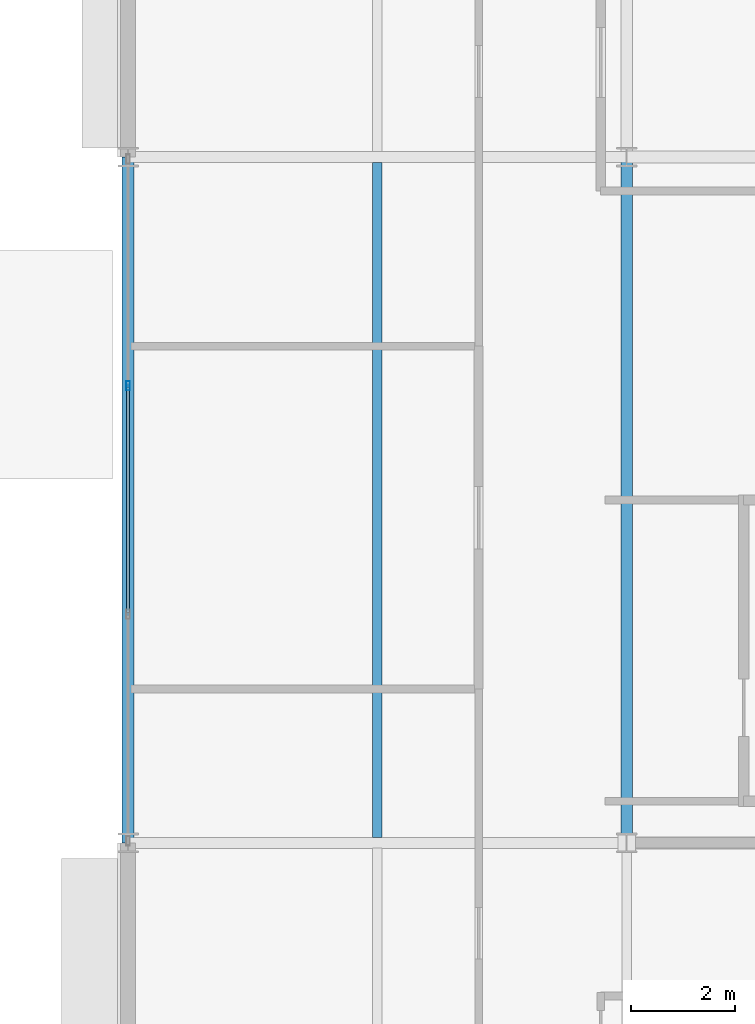
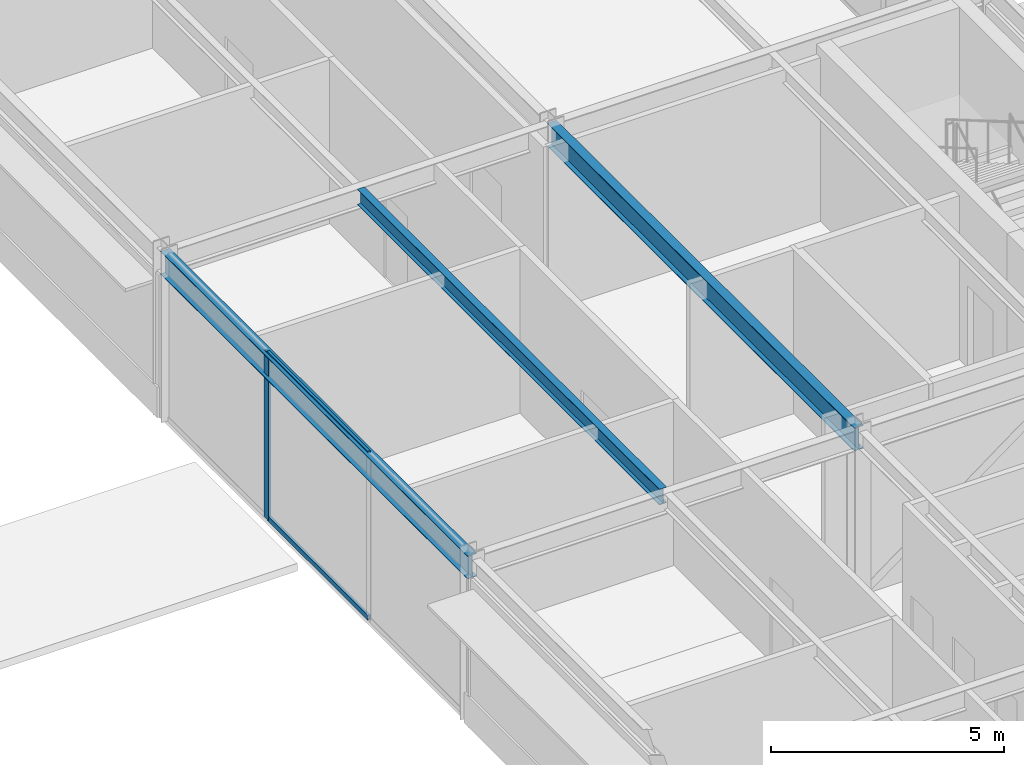
# One storey, part 85 of 133: 3 beams, 3 members, 1 element without a shape of its own.
"""IFC4 building model written with IfcOpenShell, lengths in metres."""

from ifc_helpers import new_model, si_unit, direction, frame, origin, origin_2d, place, context, subcontext, project, spatial, hollow_rectangle, i_section, extrude, material, material_profile, profile_set, type_object, element, aggregate, save


model = new_model("IFC4")

# Units and contexts
model_context = context("Model", 3, precision=1e-05, world=origin(), true_north=direction((0.0, 1.0)))
body_context = subcontext(model_context, "Body", "Model", "MODEL_VIEW")
ifc_project = project(units=[si_unit("LENGTHUNIT", "METRE"), si_unit("AREAUNIT", "SQUARE_METRE"), si_unit("VOLUMEUNIT", "CUBIC_METRE"), si_unit("PLANEANGLEUNIT", "RADIAN"), si_unit("MASSUNIT", "GRAM", prefix="KILO")], contexts=[model_context])

# Site, building, storey
site_placement = place(None, origin())
site = spatial("IfcSite", under=ifc_project, at=site_placement, CompositionType="ELEMENT")
building_placement = place(site_placement, origin())
building = spatial("IfcBuilding", under=site, at=building_placement, Name="Almandine Court Research Institute", CompositionType="ELEMENT")
storey_placement = place(building_placement, frame((0.0, 0.0, 9.800048828125)))
storey = spatial("IfcBuildingStorey", under=building, at=storey_placement, Name="L02", CompositionType="ELEMENT", Elevation=9.800048828125)

# Beams
ifc_material_1 = material(Name="Steel ASTM A992 Grade 50", Category="steel")
ifc_material_profile_1 = material_profile(ifc_material_1, i_section(OverallWidth=0.178955078125, OverallDepth=0.409912109375, WebThickness=0.009033203125, FlangeThickness=0.013916015625, at=origin_2d()), Name="W410x67")
ifc_profile_set_1 = profile_set([ifc_material_profile_1], Name="Steel ASTM A992 Grade 50")
beam_type_1 = type_object("IfcBeamType", Name="Beam-B-02", PredefinedType="JOIST", material=ifc_profile_set_1)
beam_placement = place(storey_placement, frame((158.39990234375, 44.5029296875, 4.1650390625), z_axis=(0.0, 1.0, 0.0), x_axis=(-1.0, 0.0, 0.0)))
element("IfcBeam", 1, at=beam_placement, inside=storey, type_object=beam_type_1, Name="L02 V4 Composite Secondary Beam", PredefinedType="JOIST", context=body_context, shape_type="SweptSolid", body=[
    extrude(i_section(OverallWidth=0.178955078125, OverallDepth=0.409912109375, WebThickness=0.009033203125, FlangeThickness=0.013916015625, at=origin_2d()), origin(), (0.0, 0.0, 1.0), 12.994140625),
])
ifc_material_profile_2 = material_profile(ifc_material_1, i_section(OverallWidth=0.22802734375, OverallDepth=0.60791015625, WebThickness=0.010986328125, FlangeThickness=0.01708984375, at=origin_2d()), Name="W610x113")
ifc_profile_set_2 = profile_set([ifc_material_profile_2], Name="Steel ASTM A992 Grade 50")
beam_type_2 = type_object("IfcBeamType", Name="Beam-G-03", PredefinedType="BEAM", material=ifc_profile_set_2)
for number, where, z_axis, x_axis, name in (
    (2, (153.60009765625, 44.39990234375, 4.06591796875), (0.0, 1.0, 0.0), (-1.0, 0.0, 0.0), "L02 V4 Primary Y Girder"),
    (3, (163.199951171875, 44.39990234375, 4.06591796875), (0.0, 1.0, 0.0), (-1.0, 0.0, 0.0), "L02 V4 Primary Y Girder"),
):
    element("IfcBeam", number, at=place(storey_placement, frame(where, z_axis=z_axis, x_axis=x_axis)), inside=storey, type_object=beam_type_2, Name=name, PredefinedType="BEAM", context=body_context, shape_type="SweptSolid", body=[
        extrude(i_section(OverallWidth=0.22802734375, OverallDepth=0.60791015625, WebThickness=0.010986328125, FlangeThickness=0.01708984375, at=origin_2d()), origin(), (0.0, 0.0, 1.0), 13.2001953125),
    ])

# Curtain wall, members
ifc_material_2 = material(Name="Unitised Curtain Wall Framing and Solar Glazing", Category="glass")
curtain_wall_type = type_object("IfcCurtainWallType", Name="CW-CWJ-15", PredefinedType="USERDEFINED", material=ifc_material_2)
curtain_wall_placement = place(storey_placement, origin())
curtain_wall = element("IfcCurtainWall", 4, at=curtain_wall_placement, inside=storey, type_object=curtain_wall_type, Name="L02 Wet Lab West Courtyard Jali Curtain Wall 5", ObjectType="SOLAR JALI SCREEN", PredefinedType="USERDEFINED")
ifc_material_3 = material(Name="Anodised Aluminium AW-6063-T6", Category="aluminium")
ifc_material_profile_3 = material_profile(ifc_material_3, hollow_rectangle(XDim=0.06494140625, YDim=0.179931640625, WallThickness=0.00390625, at=origin_2d()), Name="ALU RHS 65x180x4")
ifc_profile_set_3 = profile_set([ifc_material_profile_3], Name="Anodised Aluminium AW-6063-T6")
member_type_1 = type_object("IfcMemberType", Name="CWMul-65x180", PredefinedType="MULLION", material=ifc_profile_set_3)
member_1_placement = place(storey_placement, frame((153.60009765625, 53.19873046875, 0.0), z_axis=(0.0, 0.0, 1.0), x_axis=(-1.0, 0.0, 0.0)))
member_1 = element("IfcMember", 5, at=member_1_placement, type_object=member_type_1, Name="CWJ-15 mullion 3", PredefinedType="MULLION", context=body_context, shape_type="SweptSolid", body=[
    extrude(hollow_rectangle(XDim=0.06494140625, YDim=0.179931640625, WallThickness=0.00390625, at=origin_2d()), origin(), (0.0, 0.0, 1.0), 4.369873046875),
])
ifc_material_profile_4 = material_profile(ifc_material_3, hollow_rectangle(XDim=0.06494140625, YDim=0.1298828125, WallThickness=0.00390625, at=origin_2d()), Name="ALU RHS 65x130x4")
ifc_profile_set_4 = profile_set([ifc_material_profile_4], Name="Anodised Aluminium AW-6063-T6")
member_type_2 = type_object("IfcMemberType", Name="CWTrn-65x130", PredefinedType="NOTDEFINED", material=ifc_profile_set_4)
member_2_placement = place(storey_placement, frame((153.60009765625, 48.833740234375, 0.032470703125), z_axis=(0.0, 1.0, 0.0), x_axis=(-1.0, 0.0, 0.0)))
member_2 = element("IfcMember", 6, at=member_2_placement, type_object=member_type_2, Name="CWJ-15 transom 2.1", ObjectType="TRANSOM", PredefinedType="USERDEFINED", context=body_context, shape_type="SweptSolid", body=[
    extrude(hollow_rectangle(XDim=0.06494140625, YDim=0.1298828125, WallThickness=0.00390625, at=origin_2d()), origin(), (0.0, 0.0, 1.0), 4.33251953125),
])
member_3_placement = place(storey_placement, frame((153.60009765625, 48.833740234375, 4.33740234375), z_axis=(0.0, 1.0, 0.0), x_axis=(-1.0, 0.0, 0.0)))
member_3 = element("IfcMember", 7, at=member_3_placement, type_object=member_type_2, Name="CWJ-15 transom 2.2", ObjectType="TRANSOM", PredefinedType="USERDEFINED", context=body_context, shape_type="SweptSolid", body=[
    extrude(hollow_rectangle(XDim=0.06494140625, YDim=0.1298828125, WallThickness=0.00390625, at=origin_2d()), origin(), (0.0, 0.0, 1.0), 4.33251953125),
])
aggregate(curtain_wall, [member_1, member_2, member_3])

save(model, "model.ifc")
